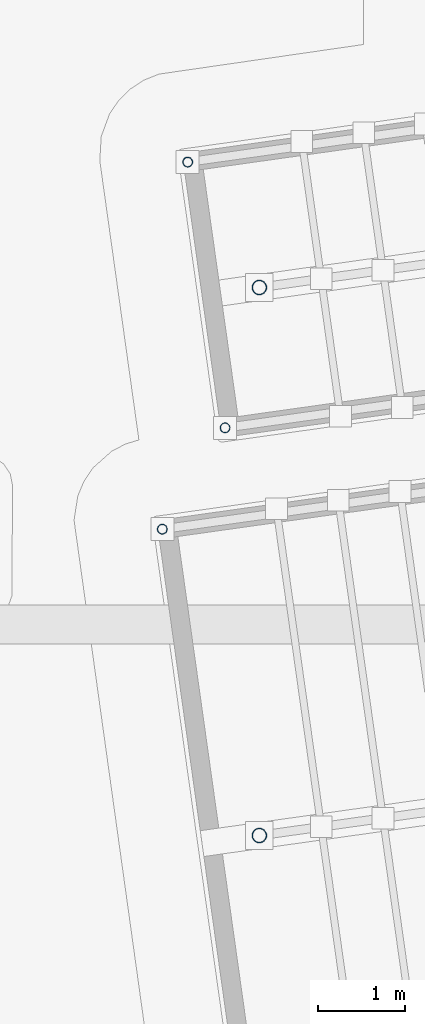
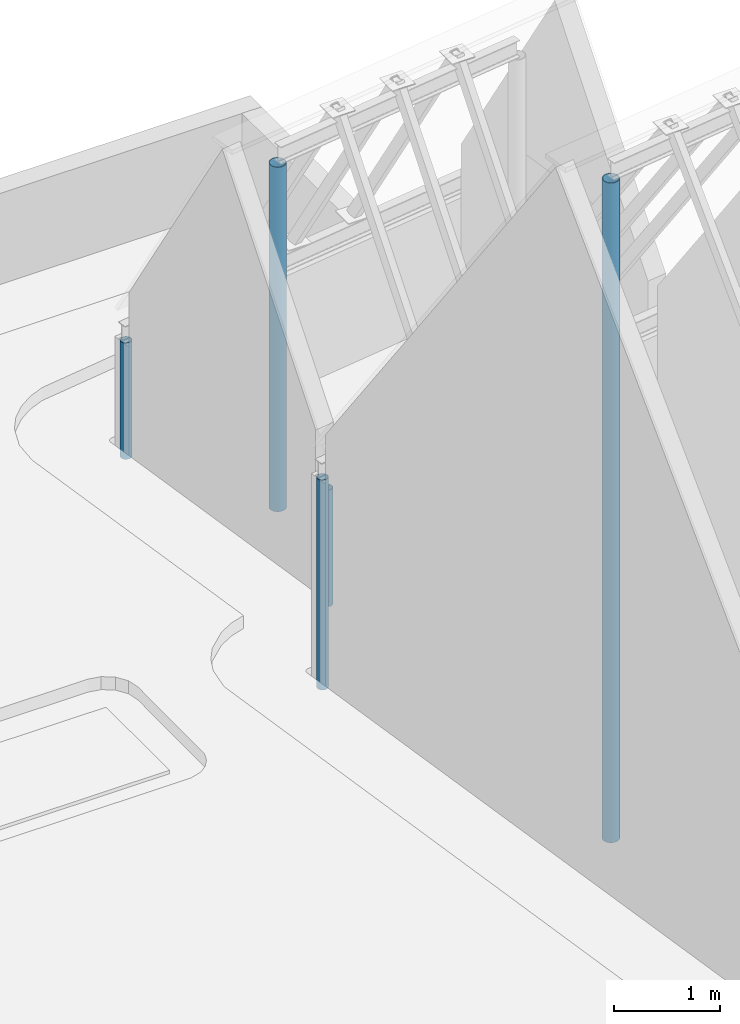
# One storey, part 4 of 11: 5 columns.
"""IFC4 building model written with IfcOpenShell, lengths in metres."""

from ifc_helpers import new_model, si_unit, direction, frame, origin, origin_2d, place, context, subcontext, project, spatial, hollow_circle, extrude, material, material_profile, profile_set, type_object, element, save


model = new_model("IFC4")

# Units and contexts
model_context = context("Model", 3, precision=1e-05, world=origin(), true_north=direction((0.0, 1.0)))
body_context = subcontext(model_context, "Body", "Model", "MODEL_VIEW")
ifc_project = project(units=[si_unit("LENGTHUNIT", "METRE"), si_unit("AREAUNIT", "SQUARE_METRE"), si_unit("VOLUMEUNIT", "CUBIC_METRE"), si_unit("PLANEANGLEUNIT", "RADIAN"), si_unit("MASSUNIT", "GRAM", prefix="KILO")], contexts=[model_context])

# Site, building, storey
site_placement = place(None, origin())
site = spatial("IfcSite", under=ifc_project, at=site_placement, CompositionType="ELEMENT")
building_placement = place(site_placement, origin())
building = spatial("IfcBuilding", under=site, at=building_placement, Name="Kiln Court Media Centre", CompositionType="ELEMENT")
storey_placement = place(building_placement, frame((0.0, 0.0, 42.60009765625)))
storey = spatial("IfcBuildingStorey", under=building, at=storey_placement, Name="ROOF", CompositionType="ELEMENT", Elevation=42.60009765625)

# Columns
ifc_material_1 = material(Name="Steel ASTM A500 Gr C", Category="steel")
ifc_material_profile_1 = material_profile(ifc_material_1, hollow_circle(Radius=0.05712890625, WallThickness=0.0048828125, at=origin_2d()), Name="CHS 114.3x5.0")
ifc_profile_set_1 = profile_set([ifc_material_profile_1], Name="Steel ASTM A500 Gr C")
column_type_1 = type_object("IfcColumnType", Name="Steel ASTM A500 Gr C CHS 114.3x5.0 crown eaves post", PredefinedType="COLUMN", material=ifc_profile_set_1)
column_1_placement = place(storey_placement, frame((30.171875, 17.896484375, 0.0078125), z_axis=(0.0, 0.0, 1.0), x_axis=(1.0, 0.0, 0.0)))
element("IfcColumn", 1, at=column_1_placement, inside=storey, type_object=column_type_1, Name="crown form 4 eaves post crown eaves post", PredefinedType="COLUMN", context=body_context, shape_type="SweptSolid", body=[
    extrude(hollow_circle(Radius=0.05712890625, WallThickness=0.0048828125, at=origin_2d()), origin(), (0.0, 0.0, 1.0), 2.422119140625),
])
for number, where, z_axis, x_axis, name in (
    (2, (30.893310546875, 19.06201171875, 0.0078125), (0.0, 0.0, 1.0), (1.0, 0.0, 0.0), "crown form 5 eaves post crown eaves post"),
    (3, (30.464111328125, 22.116943359375, 0.0078125), (0.0, 0.0, 1.0), (1.0, 0.0, 0.0), "crown form 5 eaves post crown eaves post"),
):
    element("IfcColumn", number, at=place(storey_placement, frame(where, z_axis=z_axis, x_axis=x_axis)), inside=storey, type_object=column_type_1, Name=name, PredefinedType="COLUMN", context=body_context, shape_type="SweptSolid", body=[
        extrude(hollow_circle(Radius=0.05712890625, WallThickness=0.0048828125, at=origin_2d()), origin(), (0.0, 0.0, 1.0), 1.342041015625),
    ])
ifc_material_2 = material(Name="Steel ASTM A500 Gr C", Category="steel")
ifc_material_profile_2 = material_profile(ifc_material_2, hollow_circle(Radius=0.084228515625, WallThickness=0.00634765625, at=origin_2d()), Name="CHS 168.3x6.3")
ifc_profile_set_2 = profile_set([ifc_material_profile_2], Name="Steel ASTM A500 Gr C")
column_type_2 = type_object("IfcColumnType", Name="Steel ASTM A500 Gr C CHS 168.3x6.3 crown ridge post", PredefinedType="COLUMN", material=ifc_profile_set_2)
column_2_placement = place(storey_placement, frame((31.28759765625, 14.375, 0.0078125), z_axis=(0.0, 0.0, 1.0), x_axis=(1.0, 0.0, 0.0)))
element("IfcColumn", 4, at=column_2_placement, inside=storey, type_object=column_type_2, Name="crown form 4 ridge post crown ridge post", PredefinedType="COLUMN", context=body_context, shape_type="SweptSolid", body=[
    extrude(hollow_circle(Radius=0.084228515625, WallThickness=0.00634765625, at=origin_2d()), origin(), (0.0, 0.0, 1.0), 7.613525390625),
])
column_3_placement = place(storey_placement, frame((31.28759765625, 20.675048828125, 0.0078125), z_axis=(0.0, 0.0, 1.0), x_axis=(1.0, 0.0, 0.0)))
element("IfcColumn", 5, at=column_3_placement, inside=storey, type_object=column_type_2, Name="crown form 5 ridge post crown ridge post", PredefinedType="COLUMN", context=body_context, shape_type="SweptSolid", body=[
    extrude(hollow_circle(Radius=0.084228515625, WallThickness=0.00634765625, at=origin_2d()), origin(), (0.0, 0.0, 1.0), 3.9755859375),
])

save(model, "model.ifc")
